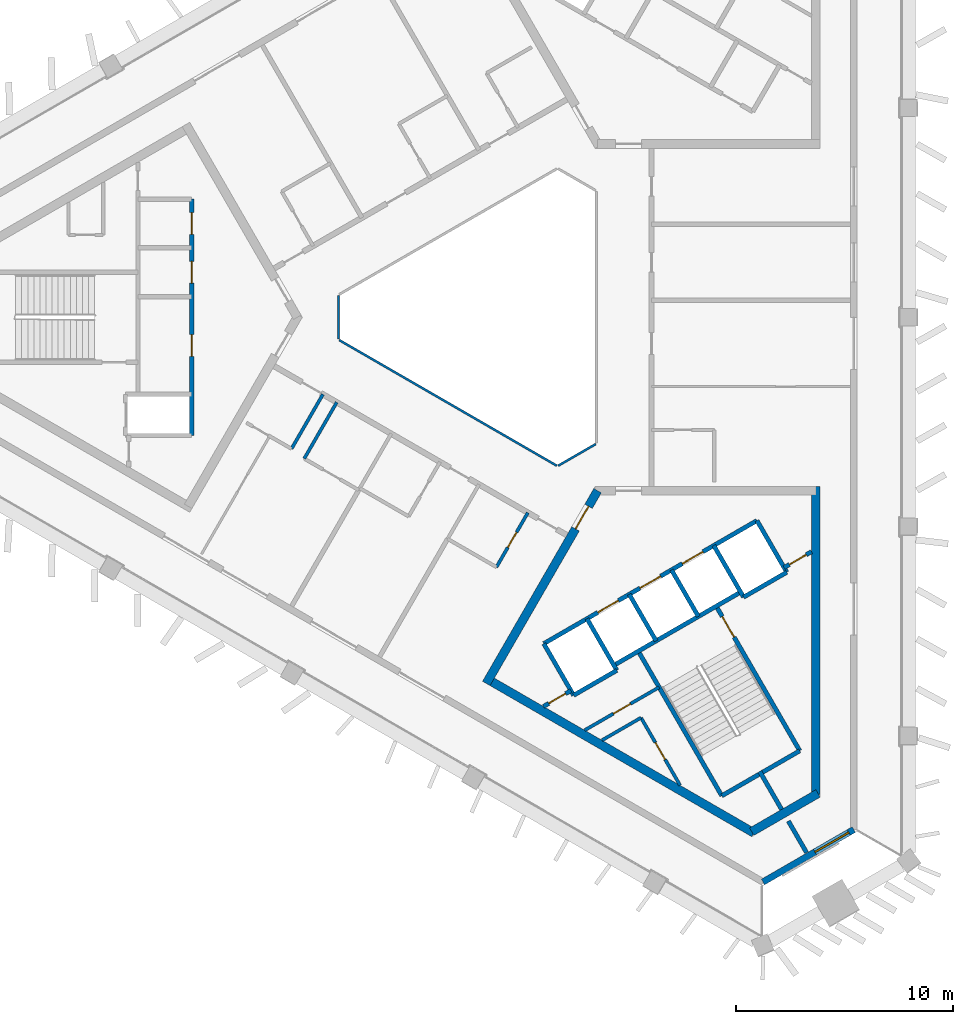
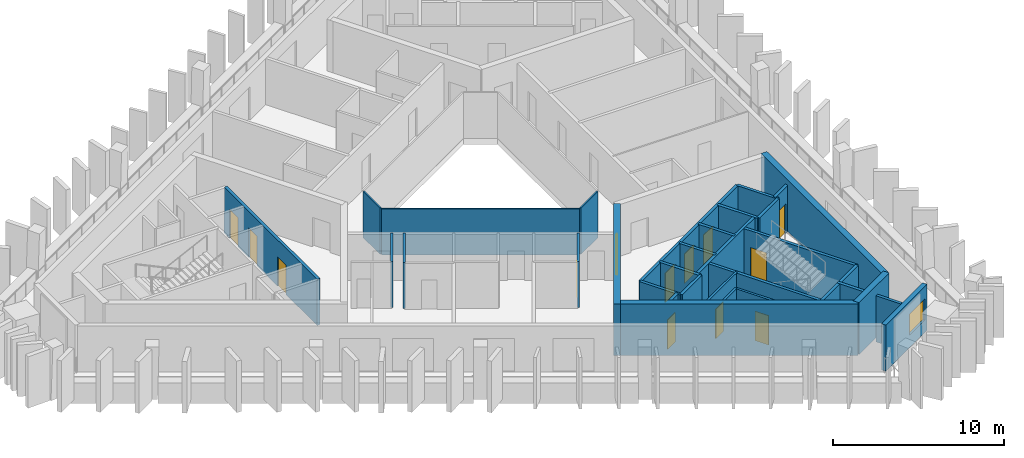
# One storey, part 3 of 9: 32 walls, 13 doors, 1 window, 14 openings.
"""IFC4 building model written with IfcOpenShell, lengths in metres."""

from ifc_helpers import new_model, si_unit, direction, frame, frame_2d, origin, place, context, subcontext, project, spatial, rectangle, extrude, material, layer, layer_set, type_object, element, fill, save


model = new_model("IFC4")

# Units and contexts
model_context = context("Model", 3, precision=1e-05, world=origin(), true_north=direction((0.0, 1.0)))
body_context = subcontext(model_context, "Body", "Model", "MODEL_VIEW")
ifc_project = project(units=[si_unit("LENGTHUNIT", "METRE"), si_unit("AREAUNIT", "SQUARE_METRE"), si_unit("VOLUMEUNIT", "CUBIC_METRE"), si_unit("PLANEANGLEUNIT", "RADIAN"), si_unit("MASSUNIT", "GRAM", prefix="KILO")], contexts=[model_context])

# Site, building, storey
site_placement = place(None, origin())
site = spatial("IfcSite", under=ifc_project, at=site_placement, CompositionType="ELEMENT")
building_placement = place(site_placement, origin())
building = spatial("IfcBuilding", under=site, at=building_placement, Name="Jabali Bay Hotel Tower and Convention Centre", CompositionType="ELEMENT")
storey_placement = place(building_placement, frame((0.0, 0.0, 281.199951171875)))
storey = spatial("IfcBuildingStorey", under=building, at=storey_placement, Name="L69", CompositionType="ELEMENT", Elevation=281.199951171875)

# Walls
ifc_material_1 = material(Name="Fire-resistant glazing", Category="glass")
ifc_layer_1 = layer(ifc_material_1, 0.10009765625)
ifc_layer_set_1 = layer_set([ifc_layer_1], Name="Fire-resistant glazing")
wall_type_1 = type_object("IfcWallType", Name="Atrium glazed screen 100", PredefinedType="PARTITIONING", material=ifc_layer_set_1)
wall_1_placement = place(storey_placement, frame((67.672119140625, 81.0, 0.0), z_axis=(0.0, 0.0, 1.0), x_axis=(0.0, -1.0, 0.0)))
element("IfcWall", 1, at=wall_1_placement, inside=storey, type_object=wall_type_1, Name="Atrium screen 4 L69", PredefinedType="PARTITIONING", context=body_context, shape_type="SweptSolid", body=[
    extrude(rectangle(XDim=2.0, YDim=0.10009765625, at=frame_2d((1.0, 0.0))), origin(), (0.0, 0.0, 1.0), 3.300048828125),
])
wall_2_placement = place(storey_placement, frame((67.7021484375, 78.947998046875, 0.0), z_axis=(0.0, 0.0, 1.0), x_axis=(0.866026658274, -0.499997827154, 0.0)))
element("IfcWall", 2, at=wall_2_placement, inside=storey, type_object=wall_type_1, Name="Atrium screen 5 L69", PredefinedType="PARTITIONING", context=body_context, shape_type="SweptSolid", body=[
    extrude(rectangle(XDim=11.58837890625, YDim=0.10009765625, at=frame_2d((5.794189453125, 0.0))), origin(), (0.0, 0.0, 1.0), 3.300048828125),
])
wall_3_placement = place(storey_placement, frame((77.7978515625, 73.15380859375, 0.0), z_axis=(0.0, 0.0, 1.0), x_axis=(0.866041268327, 0.499972520799, 0.0)))
element("IfcWall", 3, at=wall_3_placement, inside=storey, type_object=wall_type_1, Name="Atrium screen 6 L69", PredefinedType="PARTITIONING", context=body_context, shape_type="SweptSolid", body=[
    extrude(rectangle(XDim=2.0, YDim=0.10009765625, at=frame_2d((1.0, 0.0))), origin(), (0.0, 0.0, 1.0), 3.300048828125),
])
ifc_material_2 = material(Name="Concrete C40", Category="concrete")
ifc_layer_2 = layer(ifc_material_2, 0.199951171875)
ifc_layer_set_2 = layer_set([ifc_layer_2], Name="Concrete C40")
wall_type_2 = type_object("IfcWallType", Name="Core partition wall 200", PredefinedType="PARTITIONING", material=ifc_layer_set_2)
wall_4_placement = place(storey_placement, frame((87.090087890625, 59.0595703125, 0.0), z_axis=(0.0, 0.0, 1.0), x_axis=(0.499941815747, -0.866058993873, 0.0)))
element("IfcWall", 4, at=wall_4_placement, inside=storey, type_object=wall_type_2, Name="Core wall 2.5 L69", PredefinedType="PARTITIONING", context=body_context, shape_type="SweptSolid", body=[
    extrude(rectangle(XDim=2.023193359375, YDim=0.199951171875, at=frame_2d((1.01171875, 0.0))), origin(), (0.0, 0.0, 1.0), 3.300048828125),
])

# Wall, opening, door
wall_5_placement = place(storey_placement, frame((77.119873046875, 62.055908203125, 0.0), z_axis=(0.0, 0.0, 1.0), x_axis=(0.866054810376, 0.49994906283, 0.0)))
wall_5 = element("IfcWall", 5, at=wall_5_placement, inside=storey, type_object=wall_type_2, Name="Core wall 2.12 L69", PredefinedType="PARTITIONING", context=body_context, shape_type="SweptSolid", body=[
    extrude(rectangle(XDim=1.461181640625, YDim=0.199951171875, at=frame_2d((0.73046875, 0.0))), origin(), (0.0, 0.0, 1.0), 3.300048828125),
])
opening_1_placement = place(wall_5_placement, frame((0.280517578125, 0.0, 0.0)))
opening_1 = element("IfcOpeningElement", 6, at=opening_1_placement, cuts=wall_5, Name="Opening D1536", PredefinedType="OPENING", context=body_context, shape_type="SweptSolid", body=[
    extrude(rectangle(XDim=0.89990234375, YDim=2.10009765625, at=frame_2d((0.449951171875, 1.050048828125))), frame((0.0, 0.1103515625, 0.0), z_axis=(0.0, -1.0, 0.0), x_axis=(1.0, 0.0, 0.0)), (0.0, 0.0, 1.0), 0.220947265625),
])
ifc_material_3 = material(Name="Fire-rated steel door", Category="steel")
door_type_1 = type_object("IfcDoorType", Name="Vestibule fire door 900 x 2100", OperationType="NOTDEFINED", PredefinedType="NOTDEFINED", material=ifc_material_3)
door_1_placement = place(opening_1_placement, origin())
door_1 = element("IfcDoor", 7, at=door_1_placement, inside=storey, type_object=door_type_1, Name="Vestibule fire door D1536", OperationType="SINGLE_SWING_LEFT", OverallHeight=2.10009765625, OverallWidth=0.89990234375, PredefinedType="NOTDEFINED", context=body_context, shape_type="SweptSolid", body=[
    extrude(rectangle(XDim=0.89990234375, YDim=2.10009765625, at=frame_2d((0.449951171875, 1.050048828125))), frame((0.0, 0.02490234375, 0.0), z_axis=(0.0, -1.0, 0.0), x_axis=(1.0, 0.0, 0.0)), (0.0, 0.0, 1.0), 0.050048828125),
])
fill(opening_1, door_1)

wall_6_placement = place(storey_placement, frame((88.214599609375, 68.46142578125, 0.0), z_axis=(0.0, 0.0, 1.0), x_axis=(0.865982457891, 0.500074377092, 0.0)))
wall_6 = element("IfcWall", 8, at=wall_6_placement, inside=storey, type_object=wall_type_2, Name="Core wall 2.13 L69", PredefinedType="PARTITIONING", context=body_context, shape_type="SweptSolid", body=[
    extrude(rectangle(XDim=1.461181640625, YDim=0.199951171875, at=frame_2d((0.73046875, 0.0))), origin(), (0.0, 0.0, 1.0), 3.300048828125),
])
opening_2_placement = place(wall_6_placement, frame((0.280517578125, 0.0, 0.0)))
opening_2 = element("IfcOpeningElement", 9, at=opening_2_placement, cuts=wall_6, Name="Opening D1535", PredefinedType="OPENING", context=body_context, shape_type="SweptSolid", body=[
    extrude(rectangle(XDim=0.89990234375, YDim=2.10009765625, at=frame_2d((0.449951171875, 1.050048828125))), frame((0.0, 0.1103515625, 0.0), z_axis=(0.0, -1.0, 0.0), x_axis=(1.0, 0.0, 0.0)), (0.0, 0.0, 1.0), 0.220947265625),
])
door_2_placement = place(opening_2_placement, origin())
door_2 = element("IfcDoor", 10, at=door_2_placement, inside=storey, type_object=door_type_1, Name="Vestibule fire door D1535", OperationType="SINGLE_SWING_LEFT", OverallHeight=2.10009765625, OverallWidth=0.89990234375, PredefinedType="NOTDEFINED", context=body_context, shape_type="SweptSolid", body=[
    extrude(rectangle(XDim=0.89990234375, YDim=2.10009765625, at=frame_2d((0.449951171875, 1.050048828125))), frame((0.0, 0.02490234375, 0.0), z_axis=(0.0, -1.0, 0.0), x_axis=(1.0, 0.0, 0.0)), (0.0, 0.0, 1.0), 0.050048828125),
])
fill(opening_2, door_2)

ifc_material_4 = material(Name="Fire-rated board partition")
ifc_layer_3 = layer(ifc_material_4, 0.14990234375)
ifc_layer_set_3 = layer_set([ifc_layer_3], Name="Fire-rated board partition")
wall_type_3 = type_object("IfcWallType", Name="Core room partition 150", PredefinedType="PARTITIONING", material=ifc_layer_set_3)
wall_7_placement = place(storey_placement, frame((81.618896484375, 61.53564453125, 0.0), z_axis=(0.0, 0.0, 1.0), x_axis=(0.499992664208, -0.866029639064, 0.0)))
wall_7 = element("IfcWall", 11, at=wall_7_placement, inside=storey, type_object=wall_type_3, Name="Core wall 2.1 L69", PredefinedType="PARTITIONING", context=body_context, shape_type="SweptSolid", body=[
    extrude(rectangle(XDim=3.59765625, YDim=0.14990234375, at=frame_2d((1.798828125, 0.0))), origin(), (0.0, 0.0, 1.0), 3.300048828125),
])
opening_3_placement = place(wall_7_placement, frame((1.321533203125, 0.0, 0.0)))
opening_3 = element("IfcOpeningElement", 12, at=opening_3_placement, cuts=wall_7, Name="Opening D1538", PredefinedType="OPENING", context=body_context, shape_type="SweptSolid", body=[
    extrude(rectangle(XDim=0.89990234375, YDim=2.10009765625, at=frame_2d((0.449951171875, 1.050048828125))), frame((0.0, 0.08544921875, 0.0), z_axis=(0.0, -1.0, 0.0), x_axis=(1.0, 0.0, 0.0)), (0.0, 0.0, 1.0), 0.1708984375),
])
door_type_2 = type_object("IfcDoorType", Name="Core room door 900 x 2100", OperationType="NOTDEFINED", PredefinedType="NOTDEFINED", material=ifc_material_3)
door_3_placement = place(opening_3_placement, origin())
door_3 = element("IfcDoor", 13, at=door_3_placement, inside=storey, type_object=door_type_2, Name="Core room door D1538", OperationType="SINGLE_SWING_LEFT", OverallHeight=2.10009765625, OverallWidth=0.89990234375, PredefinedType="NOTDEFINED", context=body_context, shape_type="SweptSolid", body=[
    extrude(rectangle(XDim=0.89990234375, YDim=2.10009765625, at=frame_2d((0.449951171875, 1.050048828125))), frame((0.0, 0.02490234375, 0.0), z_axis=(0.0, -1.0, 0.0), x_axis=(1.0, 0.0, 0.0)), (0.0, 0.0, 1.0), 0.050048828125),
])
fill(opening_3, door_3)

wall_8_placement = place(storey_placement, frame((79.02001953125, 60.958984375, 0.0), z_axis=(0.0, 0.0, 1.0), x_axis=(0.866028661061, 0.499994358189, 0.0)))
wall_8 = element("IfcWall", 14, at=wall_8_placement, inside=storey, type_object=wall_type_3, Name="Core wall 2.16 L69", PredefinedType="PARTITIONING", context=body_context, shape_type="SweptSolid", body=[
    extrude(rectangle(XDim=3.9638671875, YDim=0.14990234375, at=frame_2d((1.98193359375, 0.0))), origin(), (0.0, 0.0, 1.0), 3.300048828125),
])
opening_4_placement = place(wall_8_placement, frame((1.531982421875, 0.0, 0.0)))
opening_4 = element("IfcOpeningElement", 15, at=opening_4_placement, cuts=wall_8, Name="Opening D1534", PredefinedType="OPENING", context=body_context, shape_type="SweptSolid", body=[
    extrude(rectangle(XDim=0.89990234375, YDim=2.10009765625, at=frame_2d((0.449951171875, 1.050048828125))), frame((0.0, 0.08544921875, 0.0), z_axis=(0.0, -1.0, 0.0), x_axis=(1.0, 0.0, 0.0)), (0.0, 0.0, 1.0), 0.1708984375),
])
door_4_placement = place(opening_4_placement, origin())
door_4 = element("IfcDoor", 16, at=door_4_placement, inside=storey, type_object=door_type_2, Name="Core room door D1534", OperationType="SINGLE_SWING_RIGHT", OverallHeight=2.10009765625, OverallWidth=0.89990234375, PredefinedType="NOTDEFINED", context=body_context, shape_type="SweptSolid", body=[
    extrude(rectangle(XDim=0.89990234375, YDim=2.10009765625, at=frame_2d((0.449951171875, 1.050048828125))), frame((0.0, 0.02490234375, 0.0), z_axis=(0.0, -1.0, 0.0), x_axis=(1.0, 0.0, 0.0)), (0.0, 0.0, 1.0), 0.050048828125),
])
fill(opening_4, door_4)

# Wall
wall_9_placement = place(storey_placement, frame((79.820068359375, 60.4970703125, 0.0), z_axis=(0.0, 0.0, 1.0), x_axis=(0.866021168401, 0.500007335828, 0.0)))
element("IfcWall", 17, at=wall_9_placement, inside=storey, type_object=wall_type_3, Name="Core wall 2.17 L69", PredefinedType="PARTITIONING", context=body_context, shape_type="SweptSolid", body=[
    extrude(rectangle(XDim=2.0771484375, YDim=0.14990234375, at=frame_2d((1.03857421875, 0.0))), origin(), (0.0, 0.0, 1.0), 3.300048828125),
])

# Wall, openings, doors
ifc_layer_4 = layer(ifc_material_2, 0.199951171875)
ifc_layer_set_4 = layer_set([ifc_layer_4], Name="Concrete C40")
wall_type_4 = type_object("IfcWallType", Name="Core stair wall 200", PredefinedType="SOLIDWALL", material=ifc_layer_set_4)
wall_10_placement = place(storey_placement, frame((60.89990234375, 85.449951171875, 0.0), z_axis=(0.0, 0.0, 1.0), x_axis=(0.0, -1.0, 0.0)))
wall_10 = element("IfcWall", 18, at=wall_10_placement, inside=storey, type_object=wall_type_4, Name="Core wall 0.9 L69", PredefinedType="SOLIDWALL", context=body_context, shape_type="SweptSolid", body=[
    extrude(rectangle(XDim=10.89990234375, YDim=0.199951171875, at=frame_2d((5.449951171875, 0.0))), origin(), (0.0, 0.0, 1.0), 3.300048828125),
])
opening_5_placement = place(wall_10_placement, frame((0.625, 0.0, 0.0)))
opening_5 = element("IfcOpeningElement", 19, at=opening_5_placement, cuts=wall_10, Name="Opening D1516", PredefinedType="OPENING", context=body_context, shape_type="SweptSolid", body=[
    extrude(rectangle(XDim=1.0, YDim=2.10009765625, at=frame_2d((0.5, 1.050048828125))), frame((0.0, 0.1103515625, 0.0), z_axis=(0.0, -1.0, 0.0), x_axis=(1.0, 0.0, 0.0)), (0.0, 0.0, 1.0), 0.220947265625),
])
opening_6_placement = place(wall_10_placement, frame((2.875, 0.0, 0.0)))
opening_6 = element("IfcOpeningElement", 20, at=opening_6_placement, cuts=wall_10, Name="Opening D1517", PredefinedType="OPENING", context=body_context, shape_type="SweptSolid", body=[
    extrude(rectangle(XDim=1.0, YDim=2.10009765625, at=frame_2d((0.5, 1.050048828125))), frame((0.0, 0.1103515625, 0.0), z_axis=(0.0, -1.0, 0.0), x_axis=(1.0, 0.0, 0.0)), (0.0, 0.0, 1.0), 0.220947265625),
])
opening_7_placement = place(wall_10_placement, frame((6.25, 0.0, 0.0)))
opening_7 = element("IfcOpeningElement", 21, at=opening_7_placement, cuts=wall_10, Name="Opening D1518", PredefinedType="OPENING", context=body_context, shape_type="SweptSolid", body=[
    extrude(rectangle(XDim=1.0, YDim=2.10009765625, at=frame_2d((0.5, 1.050048828125))), frame((0.0, 0.1103515625, 0.0), z_axis=(0.0, -1.0, 0.0), x_axis=(1.0, 0.0, 0.0)), (0.0, 0.0, 1.0), 0.220947265625),
])
door_type_3 = type_object("IfcDoorType", Name="Core room door 1000 x 2100", OperationType="NOTDEFINED", PredefinedType="NOTDEFINED", material=ifc_material_3)
door_5_placement = place(opening_5_placement, origin())
door_5 = element("IfcDoor", 22, at=door_5_placement, inside=storey, type_object=door_type_3, Name="Core room door D1516", OperationType="SINGLE_SWING_RIGHT", OverallHeight=2.10009765625, OverallWidth=1.0, PredefinedType="NOTDEFINED", context=body_context, shape_type="SweptSolid", body=[
    extrude(rectangle(XDim=1.0, YDim=2.10009765625, at=frame_2d((0.5, 1.050048828125))), frame((0.0, 0.02490234375, 0.0), z_axis=(0.0, -1.0, 0.0), x_axis=(1.0, 0.0, 0.0)), (0.0, 0.0, 1.0), 0.050048828125),
])
fill(opening_5, door_5)
door_6_placement = place(opening_6_placement, origin())
door_6 = element("IfcDoor", 23, at=door_6_placement, inside=storey, type_object=door_type_3, Name="Core room door D1517", OperationType="SINGLE_SWING_RIGHT", OverallHeight=2.10009765625, OverallWidth=1.0, PredefinedType="NOTDEFINED", context=body_context, shape_type="SweptSolid", body=[
    extrude(rectangle(XDim=1.0, YDim=2.10009765625, at=frame_2d((0.5, 1.050048828125))), frame((0.0, 0.02490234375, 0.0), z_axis=(0.0, -1.0, 0.0), x_axis=(1.0, 0.0, 0.0)), (0.0, 0.0, 1.0), 0.050048828125),
])
fill(opening_6, door_6)
door_7_placement = place(opening_7_placement, origin())
door_7 = element("IfcDoor", 24, at=door_7_placement, inside=storey, type_object=door_type_3, Name="Core room door D1518", OperationType="SINGLE_SWING_RIGHT", OverallHeight=2.10009765625, OverallWidth=1.0, PredefinedType="NOTDEFINED", context=body_context, shape_type="SweptSolid", body=[
    extrude(rectangle(XDim=1.0, YDim=2.10009765625, at=frame_2d((0.5, 1.050048828125))), frame((0.0, 0.02490234375, 0.0), z_axis=(0.0, -1.0, 0.0), x_axis=(1.0, 0.0, 0.0)), (0.0, 0.0, 1.0), 0.050048828125),
])
fill(opening_7, door_7)

# Walls
for number, where, z_axis, x_axis, name in (
    (25, (77.13525390625, 64.95166015625, 0.0), (0.0, 0.0, 1.0), (0.499996545922, -0.866027397988, 0.0), "Core wall 2.0 L69"),
    (26, (79.127197265625, 66.1015625, 0.0), (0.0, 0.0, 1.0), (0.499996545922, -0.866027397988, 0.0), "Core wall 2.2 L69"),
):
    element("IfcWall", number, at=place(storey_placement, frame(where, z_axis=z_axis, x_axis=x_axis)), inside=storey, type_object=wall_type_4, Name=name, PredefinedType="SOLIDWALL", context=body_context, shape_type="SweptSolid", body=[
        extrude(rectangle(XDim=2.75, YDim=0.199951171875, at=frame_2d((1.375, 0.0))), origin(), (0.0, 0.0, 1.0), 3.300048828125),
    ])
wall_11_placement = place(storey_placement, frame((81.492919921875, 64.603759765625, 0.0), z_axis=(0.0, 0.0, 1.0), x_axis=(0.500006057782, -0.866021906294, 0.0)))
element("IfcWall", 27, at=wall_11_placement, inside=storey, type_object=wall_type_4, Name="Core wall 2.3 L69", PredefinedType="SOLIDWALL", context=body_context, shape_type="SweptSolid", body=[
    extrude(rectangle(XDim=7.7001953125, YDim=0.199951171875, at=frame_2d((3.85009765625, 0.0))), origin(), (0.0, 0.0, 1.0), 3.300048828125),
])
for number, where, z_axis, x_axis, name in (
    (28, (81.07568359375, 67.2265625, 0.0), (0.0, 0.0, 1.0), (0.50000366821, -0.866023285932, 0.0), "Core wall 2.4 L69"),
    (29, (83.024169921875, 68.3515625, 0.0), (0.0, 0.0, 1.0), (0.50000366821, -0.866023285932, 0.0), "Core wall 2.6 L69"),
):
    element("IfcWall", number, at=place(storey_placement, frame(where, z_axis=z_axis, x_axis=x_axis)), inside=storey, type_object=wall_type_4, Name=name, PredefinedType="SOLIDWALL", context=body_context, shape_type="SweptSolid", body=[
        extrude(rectangle(XDim=2.47998046875, YDim=0.199951171875, at=frame_2d((1.239990234375, 0.0))), origin(), (0.0, 0.0, 1.0), 3.300048828125),
    ])

# Wall, opening, door
wall_12_placement = place(storey_placement, frame((85.0869140625, 66.6787109375, 0.0), z_axis=(0.0, 0.0, 1.0), x_axis=(0.500019787375, -0.866013979237, 0.0)))
wall_12 = element("IfcWall", 30, at=wall_12_placement, inside=storey, type_object=wall_type_4, Name="Core wall 2.7 L69", PredefinedType="SOLIDWALL", context=body_context, shape_type="SweptSolid", body=[
    extrude(rectangle(XDim=7.699951171875, YDim=0.199951171875, at=frame_2d((3.85009765625, 0.0))), origin(), (0.0, 0.0, 1.0), 3.300048828125),
])
opening_8_placement = place(wall_12_placement, frame((0.550048828125, 0.0, 0.0)))
opening_8 = element("IfcOpeningElement", 31, at=opening_8_placement, cuts=wall_12, Name="Opening D1537", PredefinedType="OPENING", context=body_context, shape_type="SweptSolid", body=[
    extrude(rectangle(XDim=1.10009765625, YDim=2.10009765625, at=frame_2d((0.550048828125, 1.050048828125))), frame((0.0, 0.1103515625, 0.0), z_axis=(0.0, -1.0, 0.0), x_axis=(1.0, 0.0, 0.0)), (0.0, 0.0, 1.0), 0.220947265625),
])
door_type_4 = type_object("IfcDoorType", Name="Stair fire door 1100 x 2100", OperationType="NOTDEFINED", PredefinedType="NOTDEFINED", material=ifc_material_3)
door_8_placement = place(opening_8_placement, origin())
door_8 = element("IfcDoor", 32, at=door_8_placement, inside=storey, type_object=door_type_4, Name="Stair fire door D1537", OperationType="SINGLE_SWING_RIGHT", OverallHeight=2.10009765625, OverallWidth=1.10009765625, PredefinedType="NOTDEFINED", context=body_context, shape_type="SweptSolid", body=[
    extrude(rectangle(XDim=1.10009765625, YDim=2.10009765625, at=frame_2d((0.550048828125, 1.050048828125))), frame((0.0, 0.02490234375, 0.0), z_axis=(0.0, -1.0, 0.0), x_axis=(1.0, 0.0, 0.0)), (0.0, 0.0, 1.0), 0.050048828125),
])
fill(opening_8, door_8)

# Walls
for number, where, z_axis, x_axis, name in (
    (33, (84.972900390625, 69.4765625, 0.0), (0.0, 0.0, 1.0), (0.499996545922, -0.866027397988, 0.0), "Core wall 2.8 L69"),
    (34, (86.964599609375, 70.62646484375, 0.0), (0.0, 0.0, 1.0), (0.499996545922, -0.866027397988, 0.0), "Core wall 2.9 L69"),
):
    element("IfcWall", number, at=place(storey_placement, frame(where, z_axis=z_axis, x_axis=x_axis)), inside=storey, type_object=wall_type_4, Name=name, PredefinedType="SOLIDWALL", context=body_context, shape_type="SweptSolid", body=[
        extrude(rectangle(XDim=2.75, YDim=0.199951171875, at=frame_2d((1.375, 0.0))), origin(), (0.0, 0.0, 1.0), 3.300048828125),
    ])

# Wall, openings, doors
wall_13_placement = place(storey_placement, frame((77.13525390625, 64.95166015625, 0.0), z_axis=(0.0, 0.0, 1.0), x_axis=(0.866031916153, 0.499988720078, 0.0)))
wall_13 = element("IfcWall", 35, at=wall_13_placement, inside=storey, type_object=wall_type_4, Name="Core wall 2.10 L69", PredefinedType="SOLIDWALL", context=body_context, shape_type="SweptSolid", body=[
    extrude(rectangle(XDim=11.349853515625, YDim=0.199951171875, at=frame_2d((5.6748046875, 0.0))), origin(), (0.0, 0.0, 1.0), 3.300048828125),
])
opening_9_placement = place(wall_13_placement, frame((2.875, 0.0, 0.0)))
opening_9 = element("IfcOpeningElement", 36, at=opening_9_placement, cuts=wall_13, Name="Opening LD12-L69", PredefinedType="OPENING", context=body_context, shape_type="SweptSolid", body=[
    extrude(rectangle(XDim=1.10009765625, YDim=2.10009765625, at=frame_2d((0.550048828125, 1.050048828125))), frame((0.0, 0.1103515625, 0.0), z_axis=(0.0, -1.0, 0.0), x_axis=(1.0, 0.0, 0.0)), (0.0, 0.0, 1.0), 0.220947265625),
])
opening_10_placement = place(wall_13_placement, frame((5.125, 0.0, 0.0)))
opening_10 = element("IfcOpeningElement", 37, at=opening_10_placement, cuts=wall_13, Name="Opening LD13-L69", PredefinedType="OPENING", context=body_context, shape_type="SweptSolid", body=[
    extrude(rectangle(XDim=1.10009765625, YDim=2.10009765625, at=frame_2d((0.550048828125, 1.050048828125))), frame((0.0, 0.1103515625, 0.0), z_axis=(0.0, -1.0, 0.0), x_axis=(1.0, 0.0, 0.0)), (0.0, 0.0, 1.0), 0.220947265625),
])
opening_11_placement = place(wall_13_placement, frame((7.375, 0.0, 0.0)))
opening_11 = element("IfcOpeningElement", 38, at=opening_11_placement, cuts=wall_13, Name="Opening LD14-L69", PredefinedType="OPENING", context=body_context, shape_type="SweptSolid", body=[
    extrude(rectangle(XDim=1.10009765625, YDim=2.10009765625, at=frame_2d((0.550048828125, 1.050048828125))), frame((0.0, 0.1103515625, 0.0), z_axis=(0.0, -1.0, 0.0), x_axis=(1.0, 0.0, 0.0)), (0.0, 0.0, 1.0), 0.220947265625),
])
ifc_material_5 = material(Name="Stainless steel landing door", Category="steel")
door_type_5 = type_object("IfcDoorType", Name="Landing door 1100 x 2100", OperationType="NOTDEFINED", PredefinedType="NOTDEFINED", material=ifc_material_5)
door_9_placement = place(opening_9_placement, origin())
door_9 = element("IfcDoor", 39, at=door_9_placement, inside=storey, type_object=door_type_5, Name="Landing doors LD12-L69", OperationType="SLIDING_TO_LEFT", OverallHeight=2.10009765625, OverallWidth=1.10009765625, PredefinedType="NOTDEFINED", context=body_context, shape_type="SweptSolid", body=[
    extrude(rectangle(XDim=1.10009765625, YDim=2.10009765625, at=frame_2d((0.550048828125, 1.050048828125))), frame((0.0, 0.02490234375, 0.0), z_axis=(0.0, -1.0, 0.0), x_axis=(1.0, 0.0, 0.0)), (0.0, 0.0, 1.0), 0.050048828125),
])
fill(opening_9, door_9)
door_10_placement = place(opening_10_placement, origin())
door_10 = element("IfcDoor", 40, at=door_10_placement, inside=storey, type_object=door_type_5, Name="Landing doors LD13-L69", OperationType="SLIDING_TO_RIGHT", OverallHeight=2.10009765625, OverallWidth=1.10009765625, PredefinedType="NOTDEFINED", context=body_context, shape_type="SweptSolid", body=[
    extrude(rectangle(XDim=1.10009765625, YDim=2.10009765625, at=frame_2d((0.550048828125, 1.050048828125))), frame((0.0, 0.02490234375, 0.0), z_axis=(0.0, -1.0, 0.0), x_axis=(1.0, 0.0, 0.0)), (0.0, 0.0, 1.0), 0.050048828125),
])
fill(opening_10, door_10)
door_11_placement = place(opening_11_placement, origin())
door_11 = element("IfcDoor", 41, at=door_11_placement, inside=storey, type_object=door_type_5, Name="Landing doors LD14-L69", OperationType="SLIDING_TO_LEFT", OverallHeight=2.10009765625, OverallWidth=1.10009765625, PredefinedType="NOTDEFINED", context=body_context, shape_type="SweptSolid", body=[
    extrude(rectangle(XDim=1.10009765625, YDim=2.10009765625, at=frame_2d((0.550048828125, 1.050048828125))), frame((0.0, 0.02490234375, 0.0), z_axis=(0.0, -1.0, 0.0), x_axis=(1.0, 0.0, 0.0)), (0.0, 0.0, 1.0), 0.050048828125),
])
fill(opening_11, door_11)

# Walls
wall_14_placement = place(storey_placement, frame((80.3671875, 63.953857421875, 0.0), z_axis=(0.0, 0.0, 1.0), x_axis=(0.866026575979, 0.499997969693, 0.0)))
element("IfcWall", 42, at=wall_14_placement, inside=storey, type_object=wall_type_4, Name="Core wall 2.11 L69", PredefinedType="SOLIDWALL", context=body_context, shape_type="SweptSolid", body=[
    extrude(rectangle(XDim=6.75, YDim=0.199951171875, at=frame_2d((3.375, 0.0))), origin(), (0.0, 0.0, 1.0), 3.300048828125),
])
wall_15_placement = place(storey_placement, frame((78.51025390625, 62.570068359375, 0.0), z_axis=(0.0, 0.0, 1.0), x_axis=(0.866053019151, 0.499952165731, 0.0)))
element("IfcWall", 43, at=wall_15_placement, inside=storey, type_object=wall_type_4, Name="Core wall 2.14 L69", PredefinedType="SOLIDWALL", context=body_context, shape_type="SweptSolid", body=[
    extrude(rectangle(XDim=2.300048828125, YDim=0.199951171875, at=frame_2d((1.14990234375, 0.0))), origin(), (0.0, 0.0, 1.0), 3.300048828125),
])
wall_16_placement = place(storey_placement, frame((86.347900390625, 67.094970703125, 0.0), z_axis=(0.0, 0.0, 1.0), x_axis=(0.86602648383, 0.499998129301, 0.0)))
element("IfcWall", 44, at=wall_16_placement, inside=storey, type_object=wall_type_4, Name="Core wall 2.15 L69", PredefinedType="SOLIDWALL", context=body_context, shape_type="SweptSolid", body=[
    extrude(rectangle(XDim=2.2998046875, YDim=0.199951171875, at=frame_2d((1.14990234375, 0.0))), origin(), (0.0, 0.0, 1.0), 3.300048828125),
])
wall_17_placement = place(storey_placement, frame((85.343017578125, 57.935302734375, 0.0), z_axis=(0.0, 0.0, 1.0), x_axis=(0.866004344652, 0.500036473714, 0.0)))
element("IfcWall", 45, at=wall_17_placement, inside=storey, type_object=wall_type_4, Name="Core wall 2.18 L69", PredefinedType="SOLIDWALL", context=body_context, shape_type="SweptSolid", body=[
    extrude(rectangle(XDim=4.150146484375, YDim=0.199951171875, at=frame_2d((2.0751953125, 0.0))), origin(), (0.0, 0.0, 1.0), 3.300048828125),
])

# Wall, opening, door
ifc_material_6 = material(Name="Concrete C60", Category="concrete")
ifc_layer_5 = layer(ifc_material_6, 0.39990234375)
ifc_layer_set_5 = layer_set([ifc_layer_5], Name="Concrete C60")
wall_type_5 = type_object("IfcWallType", Name="Core wall 400", PredefinedType="SHEAR", material=ifc_layer_set_5)
wall_18_placement = place(storey_placement, frame((79.615478515625, 72.005859375, 0.0), z_axis=(0.0, 0.0, 1.0), x_axis=(-0.50000177223, -0.866024380585, 0.0)))
wall_18 = element("IfcWall", 46, at=wall_18_placement, inside=storey, type_object=wall_type_5, Name="Core wall 3.1 L69", PredefinedType="SHEAR", context=body_context, shape_type="SweptSolid", body=[
    extrude(rectangle(XDim=10.2646484375, YDim=0.39990234375, at=frame_2d((5.13232421875, 0.0))), origin(), (0.0, 0.0, 1.0), 3.699951171875),
])
opening_12_placement = place(wall_18_placement, frame((0.83447265625, 0.0, 0.0)))
opening_12 = element("IfcOpeningElement", 47, at=opening_12_placement, cuts=wall_18, Name="Opening D1532", PredefinedType="OPENING", context=body_context, shape_type="SweptSolid", body=[
    extrude(rectangle(XDim=1.199951171875, YDim=2.10009765625, at=frame_2d((0.60009765625, 1.050048828125))), frame((0.0, 0.21044921875, 0.0), z_axis=(0.0, -1.0, 0.0), x_axis=(1.0, 0.0, 0.0)), (0.0, 0.0, 1.0), 0.4208984375),
])
door_type_6 = type_object("IfcDoorType", Name="Corridor end fire door 1200 x 2100", OperationType="NOTDEFINED", PredefinedType="NOTDEFINED", material=ifc_material_3)
door_12_placement = place(opening_12_placement, origin())
door_12 = element("IfcDoor", 48, at=door_12_placement, inside=storey, type_object=door_type_6, Name="Corridor end fire door D1532", OperationType="SINGLE_SWING_RIGHT", OverallHeight=2.10009765625, OverallWidth=1.199951171875, PredefinedType="NOTDEFINED", context=body_context, shape_type="SweptSolid", body=[
    extrude(rectangle(XDim=1.199951171875, YDim=2.10009765625, at=frame_2d((0.60009765625, 1.050048828125))), frame((0.0, 0.02490234375, 0.0), z_axis=(0.0, -1.0, 0.0), x_axis=(1.0, 0.0, 0.0)), (0.0, 0.0, 1.0), 0.050048828125),
])
fill(opening_12, door_12)

# Walls
wall_19_placement = place(storey_placement, frame((74.583251953125, 63.28955078125, 0.0), z_axis=(0.0, 0.0, 1.0), x_axis=(0.866024494188, -0.500001575463, 0.0)))
element("IfcWall", 49, at=wall_19_placement, inside=storey, type_object=wall_type_5, Name="Core wall 3.2 L69", PredefinedType="SHEAR", context=body_context, shape_type="SweptSolid", body=[
    extrude(rectangle(XDim=14.13330078125, YDim=0.39990234375, at=frame_2d((7.066650390625, 0.0))), origin(), (0.0, 0.0, 1.0), 3.699951171875),
])
wall_20_placement = place(storey_placement, frame((86.72314453125, 56.28076171875, 0.0), z_axis=(0.0, 0.0, 1.0), x_axis=(0.866025485263, 0.499999858875, 0.0)))
element("IfcWall", 50, at=wall_20_placement, inside=storey, type_object=wall_type_5, Name="Core wall 3.3 L69", PredefinedType="SHEAR", context=body_context, shape_type="SweptSolid", body=[
    extrude(rectangle(XDim=3.52978515625, YDim=0.39990234375, at=frame_2d((1.764892578125, 0.0))), origin(), (0.0, 0.0, 1.0), 3.699951171875),
])
wall_21_placement = place(storey_placement, frame((89.679931640625, 57.98779296875, 0.0), z_axis=(0.0, 0.0, 1.0), x_axis=(0.0, 1.0, 0.0)))
element("IfcWall", 51, at=wall_21_placement, inside=storey, type_object=wall_type_5, Name="Core wall 3.4 L69", PredefinedType="SHEAR", context=body_context, shape_type="SweptSolid", body=[
    extrude(rectangle(XDim=14.218017578125, YDim=0.39990234375, at=frame_2d((7.10888671875, 0.0))), origin(), (0.0, 0.0, 1.0), 3.699951171875),
])

# Wall, opening, window
ifc_layer_6 = layer(ifc_material_2, 0.300048828125)
ifc_layer_set_6 = layer_set([ifc_layer_6], Name="Concrete C40")
wall_type_6 = type_object("IfcWallType", Name="External wall 300", PredefinedType="SOLIDWALL", material=ifc_layer_set_6)
wall_22_placement = place(storey_placement, frame((91.428466796875, 56.37744140625, 0.0), z_axis=(0.0, 0.0, 1.0), x_axis=(-0.866024054344, -0.500002337291, 0.0)))
wall_22 = element("IfcWall", 52, at=wall_22_placement, inside=storey, type_object=wall_type_6, Name="External wall south-east chamfer L69", PredefinedType="SOLIDWALL", context=body_context, shape_type="SweptSolid", body=[
    extrude(rectangle(XDim=4.83251953125, YDim=0.300048828125, at=frame_2d((2.416259765625, 0.0))), origin(), (0.0, 0.0, 1.0), 3.300048828125),
])
opening_13_placement = place(wall_22_placement, frame((0.264892578125, 0.0, 0.89990234375)))
opening_13 = element("IfcOpeningElement", 53, at=opening_13_placement, cuts=wall_22, Name="Opening W1", PredefinedType="OPENING", context=body_context, shape_type="SweptSolid", body=[
    extrude(rectangle(XDim=1.800048828125, YDim=1.5, at=frame_2d((0.89990234375, 0.75))), frame((0.0, 0.16064453125, 0.0), z_axis=(0.0, -1.0, 0.0), x_axis=(1.0, 0.0, 0.0)), (0.0, 0.0, 1.0), 0.321044921875),
])
ifc_material_7 = material(Name="Glass", Category="glass")
window_type = type_object("IfcWindowType", Name="Window 1800 x 1500", PartitioningType="SINGLE_PANEL", PredefinedType="WINDOW", material=ifc_material_7)
window_placement = place(opening_13_placement, origin())
window = element("IfcWindow", 54, at=window_placement, inside=storey, type_object=window_type, Name="Window 6901", OverallHeight=1.5, OverallWidth=1.800048828125, PartitioningType="SINGLE_PANEL", PredefinedType="WINDOW", context=body_context, shape_type="SweptSolid", body=[
    extrude(rectangle(XDim=1.800048828125, YDim=1.5, at=frame_2d((0.89990234375, 0.75))), frame((0.0, 0.030029296875, 0.0), z_axis=(0.0, -1.0, 0.0), x_axis=(1.0, 0.0, 0.0)), (0.0, 0.0, 1.0), 0.06005859375),
])
fill(opening_13, window)

# Walls
ifc_material_8 = material(Name="Plasterboard on steel stud", Category="steel")
ifc_layer_7 = layer(ifc_material_8, 0.14990234375)
ifc_layer_set_7 = layer_set([ifc_layer_7], Name="Plasterboard on steel stud")
wall_type_7 = type_object("IfcWallType", Name="Partition 150 wet", PredefinedType="PARTITIONING", material=ifc_layer_set_7)
wall_23_placement = place(storey_placement, frame((66.95166015625, 76.4482421875, 0.0), z_axis=(0.0, 0.0, 1.0), x_axis=(-0.499987231761, -0.866032775405, 0.0)))
element("IfcWall", 55, at=wall_23_placement, inside=storey, type_object=wall_type_7, Name="Partition P03 L69 019", PredefinedType="PARTITIONING", context=body_context, shape_type="SweptSolid", body=[
    extrude(rectangle(XDim=2.89990234375, YDim=0.14990234375, at=frame_2d((1.449951171875, 0.0))), origin(), (0.0, 0.0, 1.0), 3.300048828125),
])
wall_24_placement = place(storey_placement, frame((66.088623046875, 73.482666015625, 0.0), z_axis=(0.0, 0.0, 1.0), x_axis=(0.50002537861, 0.866010750942, 0.0)))
element("IfcWall", 56, at=wall_24_placement, inside=storey, type_object=wall_type_7, Name="Partition P03 L69 022", PredefinedType="PARTITIONING", context=body_context, shape_type="SweptSolid", body=[
    extrude(rectangle(XDim=2.999755859375, YDim=0.14990234375, at=frame_2d((1.5, 0.0))), origin(), (0.0, 0.0, 1.0), 3.300048828125),
])

# Wall, opening, door
wall_25_placement = place(storey_placement, frame((76.401611328125, 70.992431640625, 0.0), z_axis=(0.0, 0.0, 1.0), x_axis=(-0.499987231761, -0.866032775405, 0.0)))
wall_25 = element("IfcWall", 57, at=wall_25_placement, inside=storey, type_object=wall_type_7, Name="Partition P03 L69 028", PredefinedType="PARTITIONING", context=body_context, shape_type="SweptSolid", body=[
    extrude(rectangle(XDim=2.89990234375, YDim=0.14990234375, at=frame_2d((1.449951171875, 0.0))), origin(), (0.0, 0.0, 1.0), 3.300048828125),
])
opening_14_placement = place(wall_25_placement, frame((1.050048828125, 0.0, 0.0)))
opening_14 = element("IfcOpeningElement", 58, at=opening_14_placement, cuts=wall_25, Name="Opening 6918", PredefinedType="OPENING", context=body_context, shape_type="SweptSolid", body=[
    extrude(rectangle(XDim=0.800048828125, YDim=2.10009765625, at=frame_2d((0.39990234375, 1.050048828125))), frame((0.0, 0.08544921875, 0.0), z_axis=(0.0, -1.0, 0.0), x_axis=(1.0, 0.0, 0.0)), (0.0, 0.0, 1.0), 0.1708984375),
])
ifc_material_9 = material(Name="Timber", Category="wood")
door_type_7 = type_object("IfcDoorType", Name="En-suite door 800 x 2100", OperationType="NOTDEFINED", PredefinedType="NOTDEFINED", material=ifc_material_9)
door_13_placement = place(opening_14_placement, origin())
door_13 = element("IfcDoor", 59, at=door_13_placement, inside=storey, type_object=door_type_7, Name="Door 6918", OperationType="SINGLE_SWING_LEFT", OverallHeight=2.10009765625, OverallWidth=0.800048828125, PredefinedType="NOTDEFINED", context=body_context, shape_type="SweptSolid", body=[
    extrude(rectangle(XDim=0.800048828125, YDim=2.10009765625, at=frame_2d((0.39990234375, 1.050048828125))), frame((0.0, 0.02490234375, 0.0), z_axis=(0.0, -1.0, 0.0), x_axis=(1.0, 0.0, 0.0)), (0.0, 0.0, 1.0), 0.050048828125),
])
fill(opening_14, door_13)

# Wall
ifc_layer_8 = layer(ifc_material_8, 0.199951171875)
ifc_layer_set_8 = layer_set([ifc_layer_8], Name="Plasterboard on steel stud")
wall_type_8 = type_object("IfcWallType", Name="Partition 200 party", PredefinedType="PARTITIONING", material=ifc_layer_set_8)
wall_26_placement = place(storey_placement, frame((88.412353515625, 56.77099609375, 0.0), z_axis=(0.0, 0.0, 1.0), x_axis=(0.499986818241, -0.866033014143, 0.0)))
element("IfcWall", 60, at=wall_26_placement, inside=storey, type_object=wall_type_8, Name="Partition P01 L69 004", PredefinedType="PARTITIONING", context=body_context, shape_type="SweptSolid", body=[
    extrude(rectangle(XDim=1.6787109375, YDim=0.199951171875, at=frame_2d((0.83935546875, 0.0))), origin(), (0.0, 0.0, 1.0), 3.300048828125),
])

save(model, "model.ifc")
